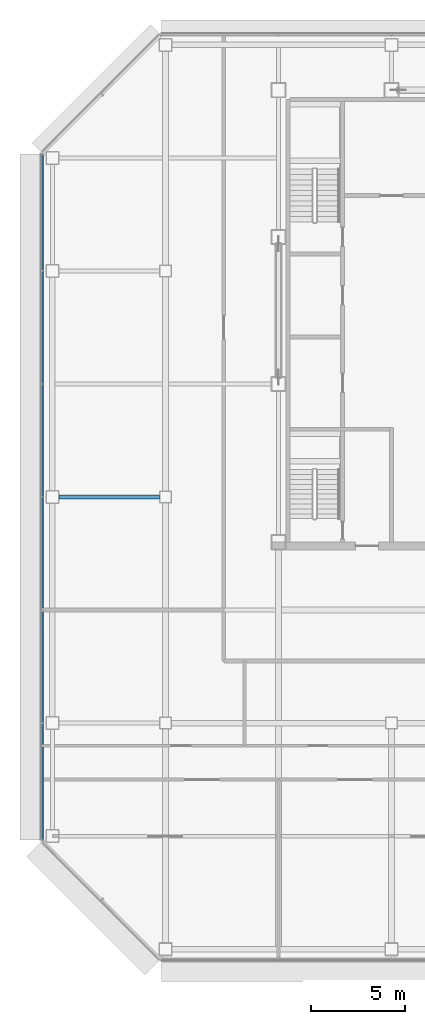
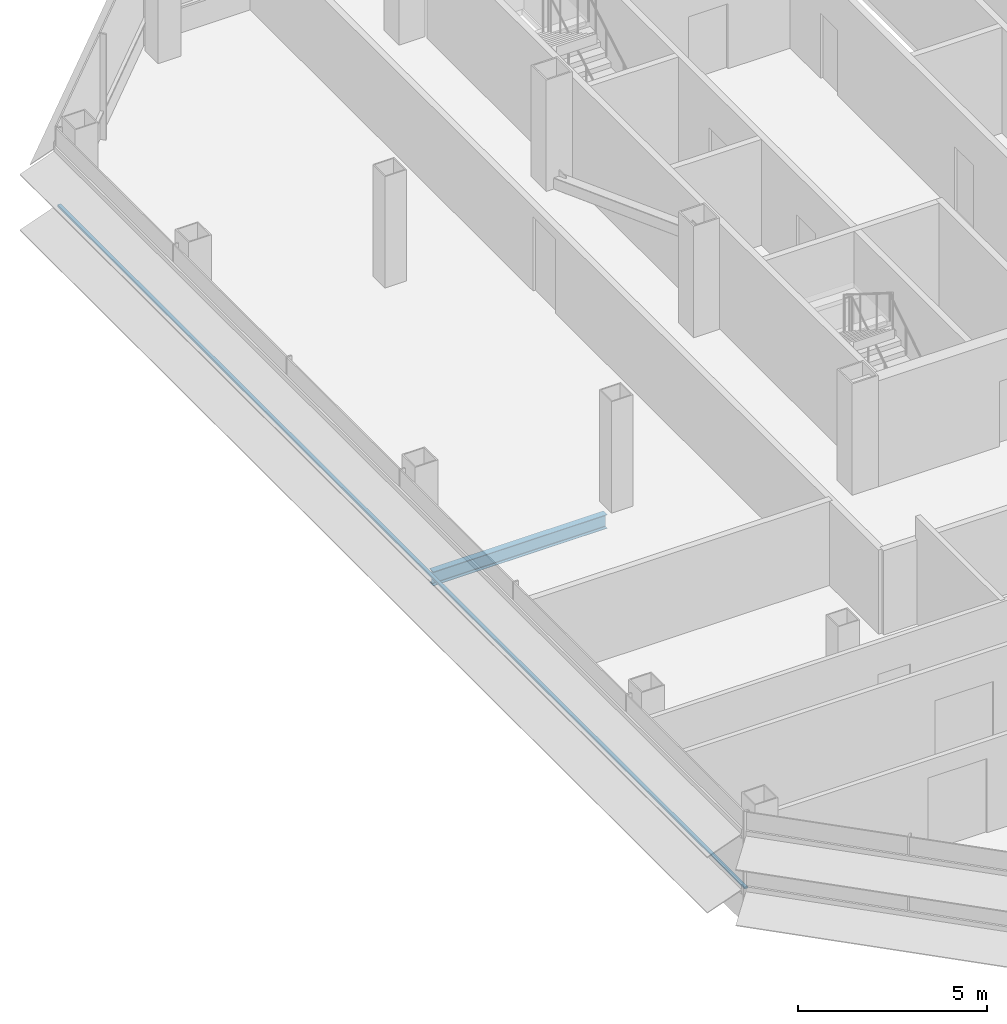
# One storey, part 5 of 24: 1 beam, 1 member, 1 element without a shape of its own.
"""IFC4 building model written with IfcOpenShell, lengths in metres."""

from ifc_helpers import new_model, si_unit, direction, frame, origin, origin_2d, place, context, subcontext, project, spatial, rectangle, i_section, extrude, material, material_profile, profile_set, type_object, element, aggregate, save


model = new_model("IFC4")

# Units and contexts
model_context = context("Model", 3, precision=1e-05, world=origin(), true_north=direction((0.0, 1.0)))
body_context = subcontext(model_context, "Body", "Model", "MODEL_VIEW")
ifc_project = project(units=[si_unit("LENGTHUNIT", "METRE"), si_unit("AREAUNIT", "SQUARE_METRE"), si_unit("VOLUMEUNIT", "CUBIC_METRE"), si_unit("PLANEANGLEUNIT", "RADIAN"), si_unit("MASSUNIT", "GRAM", prefix="KILO")], contexts=[model_context])

# Site, building, storey
site_placement = place(None, origin())
site = spatial("IfcSite", under=ifc_project, at=site_placement, CompositionType="ELEMENT")
building_placement = place(site_placement, origin())
building = spatial("IfcBuilding", under=site, at=building_placement, Name="Sorahane Residences", CompositionType="ELEMENT")
storey_placement = place(building_placement, frame((0.0, 0.0, 178.0)))
storey = spatial("IfcBuildingStorey", under=building, at=storey_placement, Name="L41", CompositionType="ELEMENT", Elevation=178.0)

# Curtain wall, member
ifc_material_1 = material(Name="Dark low-e glass and black anodised aluminium", Category="aluminium")
curtain_wall_type = type_object("IfcCurtainWallType", Name="Curtain wall CW-1 Typical unitised wall", PredefinedType="NOTDEFINED", material=ifc_material_1)
curtain_wall_placement = place(storey_placement, origin())
curtain_wall = element("IfcCurtainWall", 1, at=curtain_wall_placement, inside=storey, type_object=curtain_wall_type, Name="CW-1 curtain wall L41 W1", PredefinedType="NOTDEFINED")
ifc_material_2 = material(Name="Black anodised aluminium", Category="aluminium")
ifc_material_profile_1 = material_profile(ifc_material_2, rectangle(XDim=0.10009765625, YDim=0.06005859375, at=origin_2d()), Name="Curtain wall transom CW-1 black anodised aluminium 60x100")
ifc_profile_set_1 = profile_set([ifc_material_profile_1], Name="Black anodised aluminium")
member_type = type_object("IfcMemberType", Name="Curtain wall transom CW-1 black anodised aluminium 60x100", PredefinedType="USERDEFINED", material=ifc_profile_set_1)
member_placement = place(storey_placement, frame((-6.530029296875, 42.198486328125, 0.89990234375), z_axis=(0.0, -1.0, 0.0), x_axis=(1.0, 0.0, 0.0)))
member = element("IfcMember", 2, at=member_placement, type_object=member_type, Name="CW-1 transom L41 W1", ObjectType="TRANSOM", PredefinedType="USERDEFINED", context=body_context, shape_type="SweptSolid", body=[
    extrude(rectangle(XDim=0.10009765625, YDim=0.06005859375, at=origin_2d()), origin(), (0.0, 0.0, 1.0), 36.39697265625),
])
aggregate(curtain_wall, [member])

# Beam
ifc_material_3 = material(Name="Steel Q355B", Category="steel")
ifc_material_profile_2 = material_profile(ifc_material_3, i_section(OverallWidth=0.199951171875, OverallDepth=0.449951171875, WebThickness=0.009033203125, FlangeThickness=0.013916015625, FilletRadius=0.02001953125, at=origin_2d()), Name="HN 450x200x9x14")
ifc_profile_set_2 = profile_set([ifc_material_profile_2], Name="Steel Q355B")
beam_type = type_object("IfcBeamType", Name="Steel floor beam HN 450x200x9x14 Q355B", PredefinedType="BEAM", material=ifc_profile_set_2)
beam_placement = place(storey_placement, frame((-5.64990234375, 24.0, -0.405029296875), z_axis=(1.0, 0.0, 0.0), x_axis=(0.0, 1.0, 0.0)))
element("IfcBeam", 3, at=beam_placement, inside=storey, type_object=beam_type, Name="Beam L41 011", PredefinedType="BEAM", context=body_context, shape_type="SweptSolid", body=[
    extrude(i_section(OverallWidth=0.199951171875, OverallDepth=0.449951171875, WebThickness=0.009033203125, FlangeThickness=0.013916015625, FilletRadius=0.02001953125, at=origin_2d()), origin(), (0.0, 0.0, 1.0), 5.324951171875),
])

save(model, "model.ifc")
